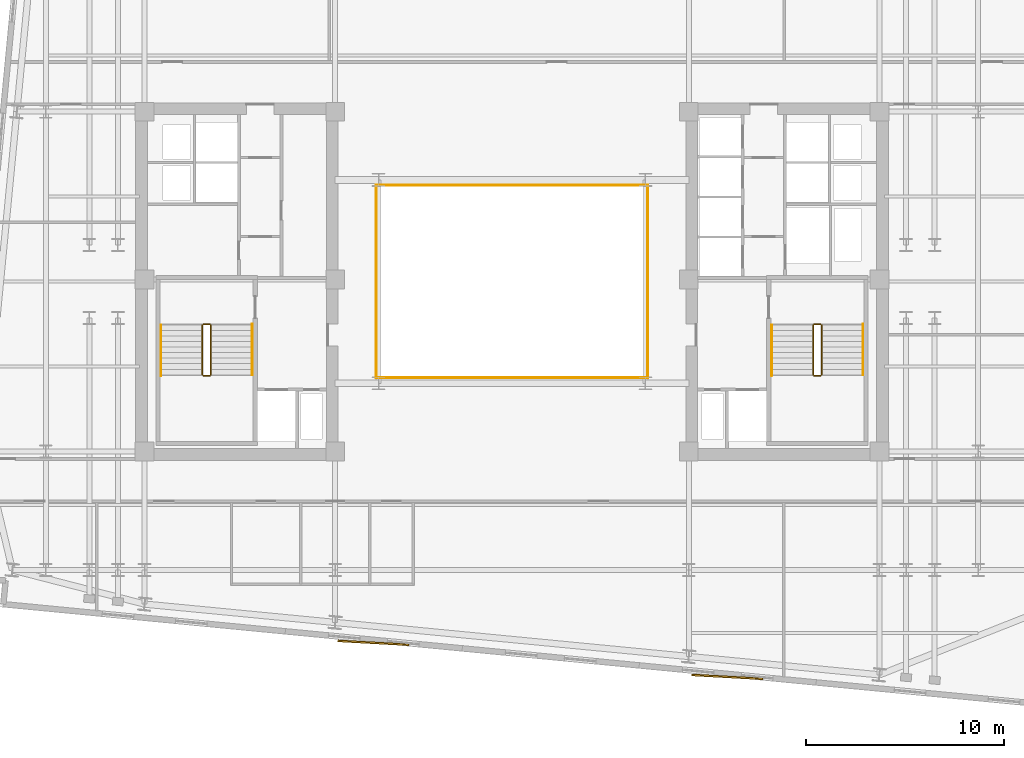
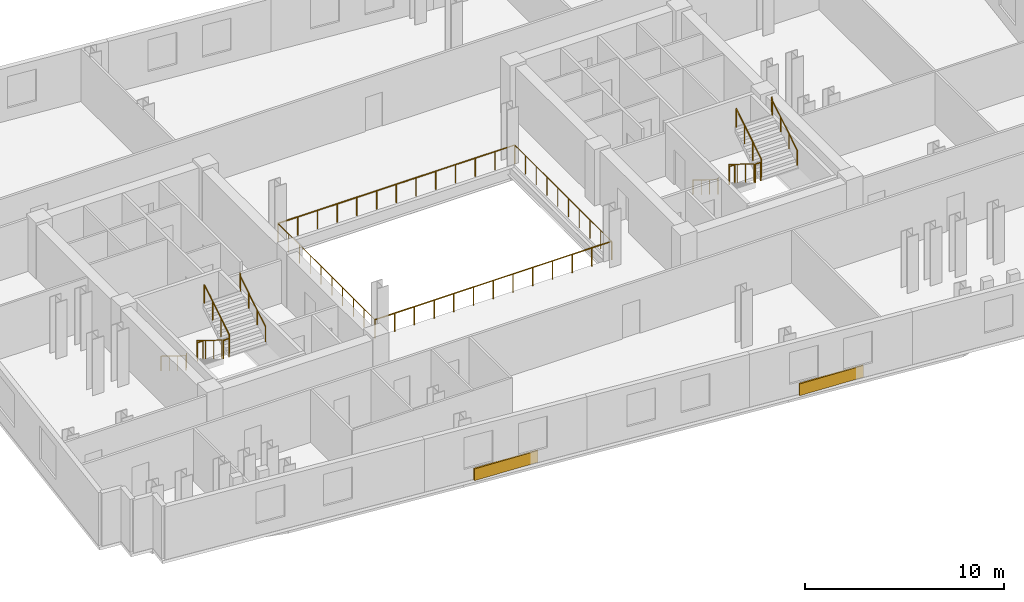
# One storey, part 8 of 9: 16 railings, 2 coverings.
"""IFC4 building model written with IfcOpenShell, lengths in metres."""

import ifcopenshell
import ifcopenshell.guid

model = None  # the IFC model being written
_history = None  # IfcOwnerHistory: only IFC2X3 demands one
_inside = {}  # id of a spatial element -> (the spatial element, [elements in it])
_under = {}  # id of a project, library or spatial element -> (it, [spatial elements below it])
_declared = {}  # id of a project -> (the project, [libraries it declares])
_typed = {}  # id of a type object -> (the type object, [elements of that type])
_made_of = {}  # id of a material, layer set ... -> (it, [elements and type objects made of it])


def new_model(schema):
    """Start an empty IFC model of exactly this schema.

    Asked for "IFC4X3", IfcOpenShell would pick the latest addendum, in which some entities
    have other attributes; the version numbers below select the first issue.
    IFC2X3 requires an IfcOwnerHistory on every rooted entity: one is made here for all.
    """
    global model, _history
    if schema == "IFC4X3":
        model = ifcopenshell.file(schema_version=(4, 3, 0, 0))
    else:
        model = ifcopenshell.file(schema=schema)
    _inside.clear()
    _under.clear()
    _declared.clear()
    _typed.clear()
    _made_of.clear()
    _history = None
    if model.schema == "IFC2X3":
        org = make("IfcOrganization", Name="unknown")
        user = make(
            "IfcPersonAndOrganization",
            ThePerson=make("IfcPerson", FamilyName="unknown"),
            TheOrganization=org,
        )
        app = make(
            "IfcApplication",
            ApplicationDeveloper=org,
            Version="unknown",
            ApplicationFullName="unknown",
            ApplicationIdentifier="unknown",
        )
        _history = make(
            "IfcOwnerHistory",
            OwningUser=user,
            OwningApplication=app,
            ChangeAction="ADDED",
            CreationDate=0,
        )
    return model


def make(cls, **values):
    """One entity of the class cls with the attributes given. An attribute that is None is left unset."""
    return model.create_entity(
        cls, **{name: value for name, value in values.items() if value is not None}
    )


def rooted(cls, **values):
    """An entity with a GlobalId (a new one), such as an element, a storey or a relation."""
    return make(cls, GlobalId=ifcopenshell.guid.new(), OwnerHistory=_history, **values)


def si_unit(unit_type, name, prefix=None):
    """IfcSIUnit, for example si_unit("LENGTHUNIT", "METRE", prefix="MILLI")."""
    return make("IfcSIUnit", UnitType=unit_type, Prefix=prefix, Name=name)


def assignment(units):
    """IfcUnitAssignment: the units of a project."""
    return None if units is None else make("IfcUnitAssignment", Units=units)


def point(xyz):
    """IfcCartesianPoint."""
    return None if xyz is None else make("IfcCartesianPoint", Coordinates=xyz)


def direction(xyz):
    """IfcDirection."""
    return None if xyz is None else make("IfcDirection", DirectionRatios=xyz)


def frame(location, z_axis=None, x_axis=None):
    """IfcAxis2Placement3D, a coordinate frame: its origin and axes. An axis left out is left unset."""
    return make(
        "IfcAxis2Placement3D",
        Location=point(location),
        Axis=direction(z_axis),
        RefDirection=direction(x_axis),
    )


def frame_2d(location, x_axis=None):
    """IfcAxis2Placement2D, a coordinate frame in the plane: its origin and x axis."""
    return make(
        "IfcAxis2Placement2D", Location=point(location), RefDirection=direction(x_axis)
    )


def origin():
    """The frame at (0, 0, 0) with its axes left unset."""
    return frame((0.0, 0.0, 0.0))


def origin_2d():
    """The frame at (0, 0) in the plane with its x axis left unset."""
    return frame_2d((0.0, 0.0))


def place(relative_to, where):
    """IfcLocalPlacement: puts the frame where relative to a parent placement (None: the world)."""
    return make(
        "IfcLocalPlacement", PlacementRelTo=relative_to, RelativePlacement=where
    )


def context(
    kind, dimensions, precision=None, world=None, true_north=None, identifier=None
):
    """IfcGeometricRepresentationContext, for example the 3D "Model" context."""
    return make(
        "IfcGeometricRepresentationContext",
        ContextIdentifier=identifier,
        ContextType=kind,
        CoordinateSpaceDimension=dimensions,
        Precision=precision,
        WorldCoordinateSystem=world,
        TrueNorth=true_north,
    )


def subcontext(parent, identifier, kind, view, scale=None):
    """IfcGeometricRepresentationSubContext, for example "Body" below "Model"."""
    return make(
        "IfcGeometricRepresentationSubContext",
        ContextIdentifier=identifier,
        ContextType=kind,
        ParentContext=parent,
        TargetScale=scale,
        TargetView=view,
    )


def project(units=None, contexts=None):
    """IfcProject with its units and contexts."""
    return rooted(
        "IfcProject",
        Name="project",
        RepresentationContexts=contexts,
        UnitsInContext=assignment(units),
    )


def spatial(cls, under=None, at=None, **own):
    """A site, building, storey or space (cls), placed at a placement, below another one or the project."""
    s = rooted(cls, ObjectPlacement=at, **own)
    if under is not None:
        _under.setdefault(under.id(), (under, []))[1].append(s)
    return s


def profile(cls, at=None, kind="AREA", **sizes):
    """A parametric profile (cls). Its sizes go by their IFC names, for example OverallWidth=200.0."""
    return make(cls, ProfileType=kind, Position=at, **sizes)


def rectangle(**sizes):
    """IfcRectangleProfileDef."""
    return profile("IfcRectangleProfileDef", **sizes)


def circle(**sizes):
    """IfcCircleProfileDef."""
    return profile("IfcCircleProfileDef", **sizes)


def extrude(swept, where, along, depth):
    """IfcExtrudedAreaSolid: the profile swept, set in the frame where, extruded along a direction by depth."""
    return make(
        "IfcExtrudedAreaSolid",
        SweptArea=swept,
        Position=where,
        ExtrudedDirection=direction(along),
        Depth=depth,
    )


def shape(context_of_items, identifier, shape_type, items):
    """IfcShapeRepresentation: the items that make up one representation, for example the "Body"."""
    return make(
        "IfcShapeRepresentation",
        ContextOfItems=context_of_items,
        RepresentationIdentifier=identifier,
        RepresentationType=shape_type,
        Items=items,
    )


def material(Name=None, Category=None):
    """IfcMaterial."""
    return make("IfcMaterial", Name=Name, Category=Category)


def layer(
    of_material, thickness, ventilated=None, Name=None, Category=None, Priority=None
):
    """IfcMaterialLayer: one layer of a wall or slab, of a material (None: an air gap)."""
    return make(
        "IfcMaterialLayer",
        Material=of_material,
        LayerThickness=thickness,
        IsVentilated=ventilated,
        Name=Name,
        Category=Category,
        Priority=Priority,
    )


def layer_set(layers, Name=None):
    """IfcMaterialLayerSet."""
    return make("IfcMaterialLayerSet", MaterialLayers=layers, LayerSetName=Name)


def made_of(thing, what):
    """Note that an element or type object is made of a material, layer set ...; save() writes the relation."""
    if what is not None:
        _made_of.setdefault(what.id(), (what, []))[1].append(thing)
    return thing


def type_object(cls, material=None, **own):
    """A type object (cls), such as IfcWallType, which elements share."""
    return made_of(rooted(cls, **own), material)


def element(
    cls,
    number,
    at=None,
    inside=None,
    cuts=None,
    type_object=None,
    material=None,
    context=None,
    identifier="Body",
    shape_type=None,
    held_by="IfcProductDefinitionShape",
    body=None,
    shapes=None,
    **own,
):
    """One element of the class cls, such as IfcWall. Its Tag is "e" and its number.

    at: its placement. inside: the storey or other place that contains it. cuts: it is an
    opening in that element (IfcRelVoidsElement). A single representation is given by context,
    identifier, shape_type and body (its items); several are given by shapes. held_by: the class
    of the entity that holds the representations. save() writes the other relations.
    """
    e = rooted(cls, Tag="e%d" % number, ObjectPlacement=at, **own)
    if body is not None:
        shapes = [shape(context, identifier, shape_type, body)]
    if shapes is not None:
        e.Representation = make(held_by, Representations=shapes)
    if inside is not None:
        _inside.setdefault(inside.id(), (inside, []))[1].append(e)
    if cuts is not None:
        rooted(
            "IfcRelVoidsElement", RelatingBuildingElement=cuts, RelatedOpeningElement=e
        )
    if type_object is not None:
        _typed.setdefault(type_object.id(), (type_object, []))[1].append(e)
    return made_of(e, material)


def aggregate(whole, parts):
    """IfcRelAggregates: a whole, such as a stair, and the parts it consists of."""
    return rooted("IfcRelAggregates", RelatingObject=whole, RelatedObjects=parts)


def save(model, path):
    """Write the relations noted so far, then the file.

    IfcRelAggregates (storeys below a building ...), IfcRelContainedInSpatialStructure (elements
    in a storey), IfcRelDefinesByType, IfcRelAssociatesMaterial and IfcRelDeclares: one each for
    every whole, place, type object, material and project.
    """
    for whole, parts in _under.values():
        aggregate(whole, parts)
    for where, things in _inside.values():
        rooted(
            "IfcRelContainedInSpatialStructure",
            RelatedElements=things,
            RelatingStructure=where,
        )
    for kind, things in _typed.values():
        rooted("IfcRelDefinesByType", RelatedObjects=things, RelatingType=kind)
    for what, things in _made_of.values():
        rooted("IfcRelAssociatesMaterial", RelatedObjects=things, RelatingMaterial=what)
    for by, libraries in _declared.values():
        rooted("IfcRelDeclares", RelatingContext=by, RelatedDefinitions=libraries)
    model.write(path)


model = new_model("IFC4")

# Units and contexts
model_context = context("Model", 3, precision=1e-05, world=origin(), true_north=direction((0.0, 1.0)))
body_context = subcontext(model_context, "Body", "Model", "MODEL_VIEW")
ifc_project = project(units=[si_unit("LENGTHUNIT", "METRE"), si_unit("AREAUNIT", "SQUARE_METRE"), si_unit("VOLUMEUNIT", "CUBIC_METRE"), si_unit("PLANEANGLEUNIT", "RADIAN"), si_unit("MASSUNIT", "GRAM", prefix="KILO")], contexts=[model_context])

# Site, building, storey
site_placement = place(None, origin())
site = spatial("IfcSite", under=ifc_project, at=site_placement, CompositionType="ELEMENT")
building_placement = place(site_placement, origin())
building = spatial("IfcBuilding", under=site, at=building_placement, Name="Velakula Bourse", CompositionType="ELEMENT")
storey_placement = place(building_placement, frame((0.0, 0.0, 167.300048828125)))
storey = spatial("IfcBuildingStorey", under=building, at=storey_placement, Name="L45", CompositionType="ELEMENT", Elevation=167.300048828125)

# Coverings
ifc_material_1 = material(Name="Buff kilned clay facing brick masonry", Category="masonry")
ifc_layer = layer(ifc_material_1, 0.074951171875, Name="Buff kilned clay facing brick masonry", Category="masonry")
ifc_layer_set = layer_set([ifc_layer], Name="Buff kilned clay facing brick masonry")
covering_type = type_object("IfcCoveringType", Name="COV-BRK-SPN-75", PredefinedType="CLADDING", material=ifc_layer_set)
for number, where, z_axis, x_axis, name in (
    (1, (-7.01220703125, -18.288330078125, 0.0), (0.0, 0.0, 1.0), (0.998489097451, -0.054950179912, 0.0), "L45 Folded Brick Facade Cladding Panel S-B2"),
    (2, (10.905029296875, -20.013671875, 0.0), (0.0, 0.0, 1.0), (0.998489097451, -0.054950179912, 0.0), "L45 Folded Brick Facade Cladding Panel S-B4"),
):
    element("IfcCovering", number, at=place(storey_placement, frame(where, z_axis=z_axis, x_axis=x_axis)), inside=storey, type_object=covering_type, Name=name, PredefinedType="CLADDING", context=body_context, shape_type="SweptSolid", body=[
        extrude(rectangle(XDim=3.60009765625, YDim=0.090087890625, at=origin_2d()), origin(), (0.0, 0.0, 1.0), 0.719970703125),
    ])

# Railings
ifc_material_2 = material(Name="Brushed grade 316 stainless steel", Category="steel")
railing_type_1 = type_object("IfcRailingType", Name="RLG-ATRIUM-1150", PredefinedType="BALUSTRADE", material=ifc_material_2)
railing_1_placement = place(storey_placement, frame((-6.8798828125, -4.8798828125, 0.0)))
element("IfcRailing", 3, at=railing_1_placement, inside=storey, type_object=railing_type_1, Name="L45 Central Trading Atrium Balustrade S", PredefinedType="BALUSTRADE", context=body_context, shape_type="SweptSolid", body=[
    extrude(circle(Radius=0.02392578125, at=origin_2d()), frame((0.0, 0.0, 1.1259765625), z_axis=(1.0, 0.0, 0.0), x_axis=(0.0, 1.0, 0.0)), (0.0, 0.0, 1.0), 13.759765625),
    extrude(circle(Radius=0.02099609375, at=origin_2d()), origin(), (0.0, 0.0, 1.0), 1.101806640625),
    extrude(circle(Radius=0.02099609375, at=origin_2d()), frame((1.146728515625, 0.0, 0.0)), (0.0, 0.0, 1.0), 1.101806640625),
    extrude(circle(Radius=0.02099609375, at=origin_2d()), frame((2.293212890625, 0.0, 0.0)), (0.0, 0.0, 1.0), 1.101806640625),
    extrude(circle(Radius=0.02099609375, at=origin_2d()), frame((3.43994140625, 0.0, 0.0)), (0.0, 0.0, 1.0), 1.101806640625),
    extrude(circle(Radius=0.02099609375, at=origin_2d()), frame((4.586669921875, 0.0, 0.0)), (0.0, 0.0, 1.0), 1.101806640625),
    extrude(circle(Radius=0.02099609375, at=origin_2d()), frame((5.733154296875, 0.0, 0.0)), (0.0, 0.0, 1.0), 1.101806640625),
    extrude(circle(Radius=0.02099609375, at=origin_2d()), frame((6.8798828125, 0.0, 0.0)), (0.0, 0.0, 1.0), 1.101806640625),
    extrude(circle(Radius=0.02099609375, at=origin_2d()), frame((8.026611328125, 0.0, 0.0)), (0.0, 0.0, 1.0), 1.101806640625),
    extrude(circle(Radius=0.02099609375, at=origin_2d()), frame((9.173095703125, 0.0, 0.0)), (0.0, 0.0, 1.0), 1.101806640625),
    extrude(circle(Radius=0.02099609375, at=origin_2d()), frame((10.31982421875, 0.0, 0.0)), (0.0, 0.0, 1.0), 1.101806640625),
    extrude(circle(Radius=0.02099609375, at=origin_2d()), frame((11.466552734375, 0.0, 0.0)), (0.0, 0.0, 1.0), 1.101806640625),
    extrude(circle(Radius=0.02099609375, at=origin_2d()), frame((12.613037109375, 0.0, 0.0)), (0.0, 0.0, 1.0), 1.101806640625),
    extrude(circle(Radius=0.02099609375, at=origin_2d()), frame((13.759765625, 0.0, 0.0)), (0.0, 0.0, 1.0), 1.101806640625),
])
railing_2_placement = place(storey_placement, frame((6.8798828125, -4.8798828125, 0.0)))
element("IfcRailing", 4, at=railing_2_placement, inside=storey, type_object=railing_type_1, Name="L45 Central Trading Atrium Balustrade E", PredefinedType="BALUSTRADE", context=body_context, shape_type="SweptSolid", body=[
    extrude(circle(Radius=0.02392578125, at=origin_2d()), frame((0.0, 0.0, 1.1259765625), z_axis=(0.0, 1.0, 0.0), x_axis=(-1.0, 0.0, 0.0)), (0.0, 0.0, 1.0), 9.759765625),
    extrude(circle(Radius=0.02099609375, at=origin_2d()), origin(), (0.0, 0.0, 1.0), 1.101806640625),
    extrude(circle(Radius=0.02099609375, at=origin_2d()), frame((0.0, 1.08447265625, 0.0)), (0.0, 0.0, 1.0), 1.101806640625),
    extrude(circle(Radius=0.02099609375, at=origin_2d()), frame((0.0, 2.1689453125, 0.0)), (0.0, 0.0, 1.0), 1.101806640625),
    extrude(circle(Radius=0.02099609375, at=origin_2d()), frame((0.0, 3.253173828125, 0.0)), (0.0, 0.0, 1.0), 1.101806640625),
    extrude(circle(Radius=0.02099609375, at=origin_2d()), frame((0.0, 4.337646484375, 0.0)), (0.0, 0.0, 1.0), 1.101806640625),
    extrude(circle(Radius=0.02099609375, at=origin_2d()), frame((0.0, 5.422119140625, 0.0)), (0.0, 0.0, 1.0), 1.101806640625),
    extrude(circle(Radius=0.02099609375, at=origin_2d()), frame((0.0, 6.506591796875, 0.0)), (0.0, 0.0, 1.0), 1.101806640625),
    extrude(circle(Radius=0.02099609375, at=origin_2d()), frame((0.0, 7.5908203125, 0.0)), (0.0, 0.0, 1.0), 1.101806640625),
    extrude(circle(Radius=0.02099609375, at=origin_2d()), frame((0.0, 8.67529296875, 0.0)), (0.0, 0.0, 1.0), 1.101806640625),
    extrude(circle(Radius=0.02099609375, at=origin_2d()), frame((0.0, 9.759765625, 0.0)), (0.0, 0.0, 1.0), 1.101806640625),
])
railing_3_placement = place(storey_placement, frame((6.8798828125, 4.8798828125, 0.0)))
element("IfcRailing", 5, at=railing_3_placement, inside=storey, type_object=railing_type_1, Name="L45 Central Trading Atrium Balustrade N", PredefinedType="BALUSTRADE", context=body_context, shape_type="SweptSolid", body=[
    extrude(circle(Radius=0.02392578125, at=origin_2d()), frame((0.0, 0.0, 1.1259765625), z_axis=(-1.0, 0.0, 0.0), x_axis=(0.0, -1.0, 0.0)), (0.0, 0.0, 1.0), 13.759765625),
    extrude(circle(Radius=0.02099609375, at=origin_2d()), origin(), (0.0, 0.0, 1.0), 1.101806640625),
    extrude(circle(Radius=0.02099609375, at=origin_2d()), frame((-1.146728515625, 0.0, 0.0)), (0.0, 0.0, 1.0), 1.101806640625),
    extrude(circle(Radius=0.02099609375, at=origin_2d()), frame((-2.293212890625, 0.0, 0.0)), (0.0, 0.0, 1.0), 1.101806640625),
    extrude(circle(Radius=0.02099609375, at=origin_2d()), frame((-3.43994140625, 0.0, 0.0)), (0.0, 0.0, 1.0), 1.101806640625),
    extrude(circle(Radius=0.02099609375, at=origin_2d()), frame((-4.586669921875, 0.0, 0.0)), (0.0, 0.0, 1.0), 1.101806640625),
    extrude(circle(Radius=0.02099609375, at=origin_2d()), frame((-5.733154296875, 0.0, 0.0)), (0.0, 0.0, 1.0), 1.101806640625),
    extrude(circle(Radius=0.02099609375, at=origin_2d()), frame((-6.8798828125, 0.0, 0.0)), (0.0, 0.0, 1.0), 1.101806640625),
    extrude(circle(Radius=0.02099609375, at=origin_2d()), frame((-8.026611328125, 0.0, 0.0)), (0.0, 0.0, 1.0), 1.101806640625),
    extrude(circle(Radius=0.02099609375, at=origin_2d()), frame((-9.173095703125, 0.0, 0.0)), (0.0, 0.0, 1.0), 1.101806640625),
    extrude(circle(Radius=0.02099609375, at=origin_2d()), frame((-10.31982421875, 0.0, 0.0)), (0.0, 0.0, 1.0), 1.101806640625),
    extrude(circle(Radius=0.02099609375, at=origin_2d()), frame((-11.466552734375, 0.0, 0.0)), (0.0, 0.0, 1.0), 1.101806640625),
    extrude(circle(Radius=0.02099609375, at=origin_2d()), frame((-12.613037109375, 0.0, 0.0)), (0.0, 0.0, 1.0), 1.101806640625),
    extrude(circle(Radius=0.02099609375, at=origin_2d()), frame((-13.759765625, 0.0, 0.0)), (0.0, 0.0, 1.0), 1.101806640625),
])
railing_4_placement = place(storey_placement, frame((-6.8798828125, 4.8798828125, 0.0)))
element("IfcRailing", 6, at=railing_4_placement, inside=storey, type_object=railing_type_1, Name="L45 Central Trading Atrium Balustrade W", PredefinedType="BALUSTRADE", context=body_context, shape_type="SweptSolid", body=[
    extrude(circle(Radius=0.02392578125, at=origin_2d()), frame((0.0, 0.0, 1.1259765625), z_axis=(0.0, -1.0, 0.0), x_axis=(1.0, 0.0, 0.0)), (0.0, 0.0, 1.0), 9.759765625),
    extrude(circle(Radius=0.02099609375, at=origin_2d()), origin(), (0.0, 0.0, 1.0), 1.101806640625),
    extrude(circle(Radius=0.02099609375, at=origin_2d()), frame((0.0, -1.08447265625, 0.0)), (0.0, 0.0, 1.0), 1.101806640625),
    extrude(circle(Radius=0.02099609375, at=origin_2d()), frame((0.0, -2.1689453125, 0.0)), (0.0, 0.0, 1.0), 1.101806640625),
    extrude(circle(Radius=0.02099609375, at=origin_2d()), frame((0.0, -3.253173828125, 0.0)), (0.0, 0.0, 1.0), 1.101806640625),
    extrude(circle(Radius=0.02099609375, at=origin_2d()), frame((0.0, -4.337646484375, 0.0)), (0.0, 0.0, 1.0), 1.101806640625),
    extrude(circle(Radius=0.02099609375, at=origin_2d()), frame((0.0, -5.422119140625, 0.0)), (0.0, 0.0, 1.0), 1.101806640625),
    extrude(circle(Radius=0.02099609375, at=origin_2d()), frame((0.0, -6.506591796875, 0.0)), (0.0, 0.0, 1.0), 1.101806640625),
    extrude(circle(Radius=0.02099609375, at=origin_2d()), frame((0.0, -7.5908203125, 0.0)), (0.0, 0.0, 1.0), 1.101806640625),
    extrude(circle(Radius=0.02099609375, at=origin_2d()), frame((0.0, -8.67529296875, 0.0)), (0.0, 0.0, 1.0), 1.101806640625),
    extrude(circle(Radius=0.02099609375, at=origin_2d()), frame((0.0, -9.759765625, 0.0)), (0.0, 0.0, 1.0), 1.101806640625),
])
railing_type_2 = type_object("IfcRailingType", Name="RLG-STAIR-GUARD-1150", PredefinedType="BALUSTRADE", material=ifc_material_2)
railing_5_placement = place(storey_placement, frame((-15.672119140625, -2.199951171875, 0.17236328125)))
element("IfcRailing", 7, at=railing_5_placement, inside=storey, type_object=railing_type_2, Name="L45 ST-W1 stair guard 1", PredefinedType="BALUSTRADE", context=body_context, shape_type="SweptSolid", body=[
    extrude(circle(Radius=0.02490234375, at=origin_2d()), frame((0.0, 0.0, 1.125), z_axis=(0.0, -0.851400495292, 0.524516154772), x_axis=(1.0, 0.0, 0.0)), (0.0, 0.0, 1.0), 2.9599609375),
    extrude(circle(Radius=0.02099609375, at=origin_2d()), origin(), (0.0, 0.0, 1.0), 1.099853515625),
    extrude(circle(Radius=0.02099609375, at=origin_2d()), frame((0.0, -0.840087890625, 0.517578125)), (0.0, 0.0, 1.0), 1.099853515625),
    extrude(circle(Radius=0.02099609375, at=origin_2d()), frame((0.0, -1.679931640625, 1.034912109375)), (0.0, 0.0, 1.0), 1.099853515625),
    extrude(circle(Radius=0.02099609375, at=origin_2d()), frame((0.0, -2.52001953125, 1.552490234375)), (0.0, 0.0, 1.0), 1.099853515625),
])
railing_6_placement = place(storey_placement, frame((-15.6220703125, -4.77001953125, 1.724853515625)))
element("IfcRailing", 8, at=railing_6_placement, inside=storey, type_object=railing_type_2, Name="L45 ST-W1 stair guard 2", PredefinedType="BALUSTRADE", context=body_context, shape_type="SweptSolid", body=[
    extrude(circle(Radius=0.02490234375, at=origin_2d()), frame((0.0, 0.0, 1.125), z_axis=(1.0, 0.0, 0.0), x_axis=(0.0, 1.0, 0.0)), (0.0, 0.0, 1.0), 0.323974609375),
    extrude(circle(Radius=0.02099609375, at=origin_2d()), origin(), (0.0, 0.0, 1.0), 1.099853515625),
    extrude(circle(Radius=0.02099609375, at=origin_2d()), frame((0.323974609375, 0.0, 0.0)), (0.0, 0.0, 1.0), 1.099853515625),
])
railing_7_placement = place(storey_placement, frame((-15.248046875, -4.719970703125, 1.8974609375)))
element("IfcRailing", 9, at=railing_7_placement, inside=storey, type_object=railing_type_2, Name="L45 ST-W1 stair guard 3", PredefinedType="BALUSTRADE", context=body_context, shape_type="SweptSolid", body=[
    extrude(circle(Radius=0.02490234375, at=origin_2d()), frame((0.0, 0.0, 1.125), z_axis=(0.0, 0.851400495292, 0.524516154772), x_axis=(-1.0, 0.0, 0.0)), (0.0, 0.0, 1.0), 2.9599609375),
    extrude(circle(Radius=0.02099609375, at=origin_2d()), origin(), (0.0, 0.0, 1.0), 1.099853515625),
    extrude(circle(Radius=0.02099609375, at=origin_2d()), frame((0.0, 0.840087890625, 0.517578125)), (0.0, 0.0, 1.0), 1.099853515625),
    extrude(circle(Radius=0.02099609375, at=origin_2d()), frame((0.0, 1.679931640625, 1.034912109375)), (0.0, 0.0, 1.0), 1.099853515625),
    extrude(circle(Radius=0.02099609375, at=origin_2d()), frame((0.0, 2.52001953125, 1.552490234375)), (0.0, 0.0, 1.0), 1.099853515625),
])
railing_8_placement = place(storey_placement, frame((-15.6220703125, -2.14990234375, 0.0)))
element("IfcRailing", 10, at=railing_8_placement, inside=storey, type_object=railing_type_2, Name="L45 ST-W1 stair guard 4", PredefinedType="BALUSTRADE", context=body_context, shape_type="SweptSolid", body=[
    extrude(circle(Radius=0.02490234375, at=origin_2d()), frame((0.0, 0.0, 1.125), z_axis=(1.0, 0.0, 0.0), x_axis=(0.0, 1.0, 0.0)), (0.0, 0.0, 1.0), 0.323974609375),
    extrude(circle(Radius=0.02099609375, at=origin_2d()), origin(), (0.0, 0.0, 1.0), 1.099853515625),
    extrude(circle(Radius=0.02099609375, at=origin_2d()), frame((0.323974609375, 0.0, 0.0)), (0.0, 0.0, 1.0), 1.099853515625),
])
railing_9_placement = place(storey_placement, frame((15.248046875, -2.199951171875, 0.17236328125)))
element("IfcRailing", 11, at=railing_9_placement, inside=storey, type_object=railing_type_2, Name="L45 ST-E1 stair guard 1", PredefinedType="BALUSTRADE", context=body_context, shape_type="SweptSolid", body=[
    extrude(circle(Radius=0.02490234375, at=origin_2d()), frame((0.0, 0.0, 1.125), z_axis=(0.0, -0.851400495292, 0.524516154772), x_axis=(1.0, 0.0, 0.0)), (0.0, 0.0, 1.0), 2.9599609375),
    extrude(circle(Radius=0.02099609375, at=origin_2d()), origin(), (0.0, 0.0, 1.0), 1.099853515625),
    extrude(circle(Radius=0.02099609375, at=origin_2d()), frame((0.0, -0.840087890625, 0.517578125)), (0.0, 0.0, 1.0), 1.099853515625),
    extrude(circle(Radius=0.02099609375, at=origin_2d()), frame((0.0, -1.679931640625, 1.034912109375)), (0.0, 0.0, 1.0), 1.099853515625),
    extrude(circle(Radius=0.02099609375, at=origin_2d()), frame((0.0, -2.52001953125, 1.552490234375)), (0.0, 0.0, 1.0), 1.099853515625),
])
railing_10_placement = place(storey_placement, frame((15.298095703125, -4.77001953125, 1.724853515625)))
element("IfcRailing", 12, at=railing_10_placement, inside=storey, type_object=railing_type_2, Name="L45 ST-E1 stair guard 2", PredefinedType="BALUSTRADE", context=body_context, shape_type="SweptSolid", body=[
    extrude(circle(Radius=0.02490234375, at=origin_2d()), frame((0.0, 0.0, 1.125), z_axis=(1.0, 0.0, 0.0), x_axis=(0.0, 1.0, 0.0)), (0.0, 0.0, 1.0), 0.323974609375),
    extrude(circle(Radius=0.02099609375, at=origin_2d()), origin(), (0.0, 0.0, 1.0), 1.099853515625),
    extrude(circle(Radius=0.02099609375, at=origin_2d()), frame((0.323974609375, 0.0, 0.0)), (0.0, 0.0, 1.0), 1.099853515625),
])
railing_11_placement = place(storey_placement, frame((15.672119140625, -4.719970703125, 1.8974609375)))
element("IfcRailing", 13, at=railing_11_placement, inside=storey, type_object=railing_type_2, Name="L45 ST-E1 stair guard 3", PredefinedType="BALUSTRADE", context=body_context, shape_type="SweptSolid", body=[
    extrude(circle(Radius=0.02490234375, at=origin_2d()), frame((0.0, 0.0, 1.125), z_axis=(0.0, 0.851400495292, 0.524516154772), x_axis=(-1.0, 0.0, 0.0)), (0.0, 0.0, 1.0), 2.9599609375),
    extrude(circle(Radius=0.02099609375, at=origin_2d()), origin(), (0.0, 0.0, 1.0), 1.099853515625),
    extrude(circle(Radius=0.02099609375, at=origin_2d()), frame((0.0, 0.840087890625, 0.517578125)), (0.0, 0.0, 1.0), 1.099853515625),
    extrude(circle(Radius=0.02099609375, at=origin_2d()), frame((0.0, 1.679931640625, 1.034912109375)), (0.0, 0.0, 1.0), 1.099853515625),
    extrude(circle(Radius=0.02099609375, at=origin_2d()), frame((0.0, 2.52001953125, 1.552490234375)), (0.0, 0.0, 1.0), 1.099853515625),
])
railing_12_placement = place(storey_placement, frame((15.298095703125, -2.14990234375, 0.0)))
element("IfcRailing", 14, at=railing_12_placement, inside=storey, type_object=railing_type_2, Name="L45 ST-E1 stair guard 4", PredefinedType="BALUSTRADE", context=body_context, shape_type="SweptSolid", body=[
    extrude(circle(Radius=0.02490234375, at=origin_2d()), frame((0.0, 0.0, 1.125), z_axis=(1.0, 0.0, 0.0), x_axis=(0.0, 1.0, 0.0)), (0.0, 0.0, 1.0), 0.323974609375),
    extrude(circle(Radius=0.02099609375, at=origin_2d()), origin(), (0.0, 0.0, 1.0), 1.099853515625),
    extrude(circle(Radius=0.02099609375, at=origin_2d()), frame((0.323974609375, 0.0, 0.0)), (0.0, 0.0, 1.0), 1.099853515625),
])
railing_type_3 = type_object("IfcRailingType", Name="RLG-STAIR-HAND-920", PredefinedType="HANDRAIL", material=ifc_material_2)
railing_13_placement = place(storey_placement, frame((-17.77001953125, -2.199951171875, 0.17236328125)))
element("IfcRailing", 15, at=railing_13_placement, inside=storey, type_object=railing_type_3, Name="L45 ST-W1 stair handrail 1", PredefinedType="HANDRAIL", context=body_context, shape_type="SweptSolid", body=[
    extrude(circle(Radius=0.02099609375, at=origin_2d()), frame((0.0, 0.0, 0.89892578125), z_axis=(0.0, -0.851400495292, 0.524516154772), x_axis=(1.0, 0.0, 0.0)), (0.0, 0.0, 1.0), 2.9599609375),
    extrude(circle(Radius=0.02099609375, at=origin_2d()), frame((0.0, -2.52001953125, 2.451416015625), z_axis=(0.0, -0.22596628056, 0.974135124123), x_axis=(1.0, 0.0, 0.0)), (0.0, 0.0, 1.0), 0.17724609375),
    extrude(circle(Radius=0.02099609375, at=origin_2d()), frame((0.0, -2.56005859375, 2.6240234375), z_axis=(0.0, -1.0, 0.0), x_axis=(1.0, 0.0, 0.0)), (0.0, 0.0, 1.0), 0.0048828125),
    extrude(circle(Radius=0.02099609375, at=origin_2d()), origin(), (0.0, 0.0, 1.0), 0.8779296875),
    extrude(circle(Radius=0.02099609375, at=origin_2d()), frame((0.0, -0.840087890625, 0.517578125)), (0.0, 0.0, 1.0), 0.8779296875),
    extrude(circle(Radius=0.02099609375, at=origin_2d()), frame((0.0, -1.679931640625, 1.034912109375)), (0.0, 0.0, 1.0), 0.8779296875),
    extrude(circle(Radius=0.02099609375, at=origin_2d()), frame((0.0, -2.52001953125, 1.552490234375)), (0.0, 0.0, 1.0), 0.8779296875),
    extrude(circle(Radius=0.02099609375, at=origin_2d()), frame((0.0, -2.56005859375, 1.72509765625)), (0.0, 0.0, 1.0), 0.8779296875),
    extrude(circle(Radius=0.02099609375, at=origin_2d()), frame((0.0, -2.56494140625, 1.72509765625)), (0.0, 0.0, 1.0), 0.8779296875),
])
railing_14_placement = place(storey_placement, frame((-13.14990234375, -4.719970703125, 1.8974609375)))
element("IfcRailing", 16, at=railing_14_placement, inside=storey, type_object=railing_type_3, Name="L45 ST-W1 stair handrail 2", PredefinedType="HANDRAIL", context=body_context, shape_type="SweptSolid", body=[
    extrude(circle(Radius=0.02099609375, at=origin_2d()), frame((0.0, 0.0, 0.89892578125), z_axis=(0.0, 0.851400495292, 0.524516154772), x_axis=(-1.0, 0.0, 0.0)), (0.0, 0.0, 1.0), 2.9599609375),
    extrude(circle(Radius=0.02099609375, at=origin_2d()), frame((0.0, 2.52001953125, 2.451416015625), z_axis=(0.0, 0.22596628056, 0.974135124123), x_axis=(-1.0, 0.0, 0.0)), (0.0, 0.0, 1.0), 0.17724609375),
    extrude(circle(Radius=0.02099609375, at=origin_2d()), frame((0.0, 2.56005859375, 2.6240234375), z_axis=(0.0, 1.0, 0.0), x_axis=(-1.0, 0.0, 0.0)), (0.0, 0.0, 1.0), 0.0048828125),
    extrude(circle(Radius=0.02099609375, at=origin_2d()), origin(), (0.0, 0.0, 1.0), 0.8779296875),
    extrude(circle(Radius=0.02099609375, at=origin_2d()), frame((0.0, 0.840087890625, 0.517578125)), (0.0, 0.0, 1.0), 0.8779296875),
    extrude(circle(Radius=0.02099609375, at=origin_2d()), frame((0.0, 1.679931640625, 1.034912109375)), (0.0, 0.0, 1.0), 0.8779296875),
    extrude(circle(Radius=0.02099609375, at=origin_2d()), frame((0.0, 2.52001953125, 1.552490234375)), (0.0, 0.0, 1.0), 0.8779296875),
    extrude(circle(Radius=0.02099609375, at=origin_2d()), frame((0.0, 2.56005859375, 1.72509765625)), (0.0, 0.0, 1.0), 0.8779296875),
    extrude(circle(Radius=0.02099609375, at=origin_2d()), frame((0.0, 2.56494140625, 1.72509765625)), (0.0, 0.0, 1.0), 0.8779296875),
])
railing_15_placement = place(storey_placement, frame((13.14990234375, -2.199951171875, 0.17236328125)))
element("IfcRailing", 17, at=railing_15_placement, inside=storey, type_object=railing_type_3, Name="L45 ST-E1 stair handrail 1", PredefinedType="HANDRAIL", context=body_context, shape_type="SweptSolid", body=[
    extrude(circle(Radius=0.02099609375, at=origin_2d()), frame((0.0, 0.0, 0.89892578125), z_axis=(0.0, -0.851400495292, 0.524516154772), x_axis=(1.0, 0.0, 0.0)), (0.0, 0.0, 1.0), 2.9599609375),
    extrude(circle(Radius=0.02099609375, at=origin_2d()), frame((0.0, -2.52001953125, 2.451416015625), z_axis=(0.0, -0.22596628056, 0.974135124123), x_axis=(1.0, 0.0, 0.0)), (0.0, 0.0, 1.0), 0.17724609375),
    extrude(circle(Radius=0.02099609375, at=origin_2d()), frame((0.0, -2.56005859375, 2.6240234375), z_axis=(0.0, -1.0, 0.0), x_axis=(1.0, 0.0, 0.0)), (0.0, 0.0, 1.0), 0.0048828125),
    extrude(circle(Radius=0.02099609375, at=origin_2d()), origin(), (0.0, 0.0, 1.0), 0.8779296875),
    extrude(circle(Radius=0.02099609375, at=origin_2d()), frame((0.0, -0.840087890625, 0.517578125)), (0.0, 0.0, 1.0), 0.8779296875),
    extrude(circle(Radius=0.02099609375, at=origin_2d()), frame((0.0, -1.679931640625, 1.034912109375)), (0.0, 0.0, 1.0), 0.8779296875),
    extrude(circle(Radius=0.02099609375, at=origin_2d()), frame((0.0, -2.52001953125, 1.552490234375)), (0.0, 0.0, 1.0), 0.8779296875),
    extrude(circle(Radius=0.02099609375, at=origin_2d()), frame((0.0, -2.56005859375, 1.72509765625)), (0.0, 0.0, 1.0), 0.8779296875),
    extrude(circle(Radius=0.02099609375, at=origin_2d()), frame((0.0, -2.56494140625, 1.72509765625)), (0.0, 0.0, 1.0), 0.8779296875),
])
railing_16_placement = place(storey_placement, frame((17.77001953125, -4.719970703125, 1.8974609375)))
element("IfcRailing", 18, at=railing_16_placement, inside=storey, type_object=railing_type_3, Name="L45 ST-E1 stair handrail 2", PredefinedType="HANDRAIL", context=body_context, shape_type="SweptSolid", body=[
    extrude(circle(Radius=0.02099609375, at=origin_2d()), frame((0.0, 0.0, 0.89892578125), z_axis=(0.0, 0.851400495292, 0.524516154772), x_axis=(-1.0, 0.0, 0.0)), (0.0, 0.0, 1.0), 2.9599609375),
    extrude(circle(Radius=0.02099609375, at=origin_2d()), frame((0.0, 2.52001953125, 2.451416015625), z_axis=(0.0, 0.22596628056, 0.974135124123), x_axis=(-1.0, 0.0, 0.0)), (0.0, 0.0, 1.0), 0.17724609375),
    extrude(circle(Radius=0.02099609375, at=origin_2d()), frame((0.0, 2.56005859375, 2.6240234375), z_axis=(0.0, 1.0, 0.0), x_axis=(-1.0, 0.0, 0.0)), (0.0, 0.0, 1.0), 0.0048828125),
    extrude(circle(Radius=0.02099609375, at=origin_2d()), origin(), (0.0, 0.0, 1.0), 0.8779296875),
    extrude(circle(Radius=0.02099609375, at=origin_2d()), frame((0.0, 0.840087890625, 0.517578125)), (0.0, 0.0, 1.0), 0.8779296875),
    extrude(circle(Radius=0.02099609375, at=origin_2d()), frame((0.0, 1.679931640625, 1.034912109375)), (0.0, 0.0, 1.0), 0.8779296875),
    extrude(circle(Radius=0.02099609375, at=origin_2d()), frame((0.0, 2.52001953125, 1.552490234375)), (0.0, 0.0, 1.0), 0.8779296875),
    extrude(circle(Radius=0.02099609375, at=origin_2d()), frame((0.0, 2.56005859375, 1.72509765625)), (0.0, 0.0, 1.0), 0.8779296875),
    extrude(circle(Radius=0.02099609375, at=origin_2d()), frame((0.0, 2.56494140625, 1.72509765625)), (0.0, 0.0, 1.0), 0.8779296875),
])

save(model, "model.ifc")
